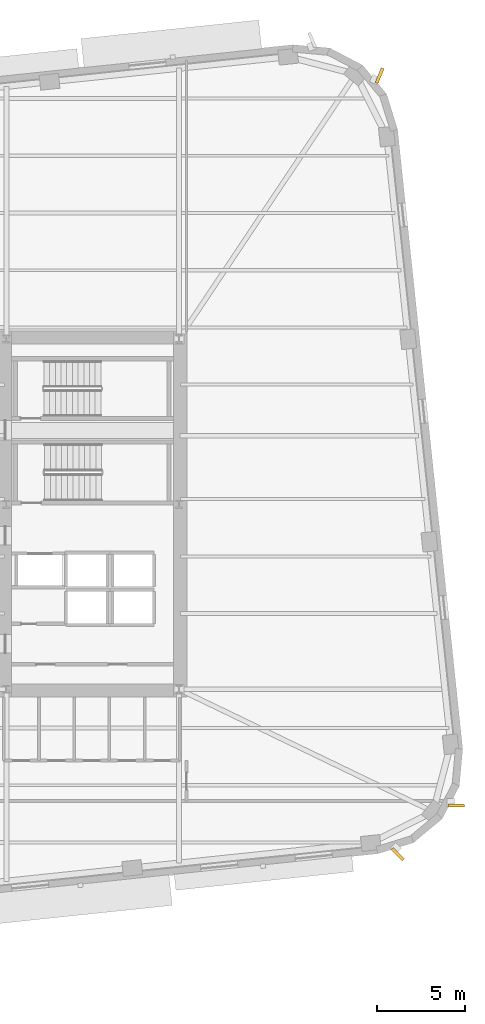
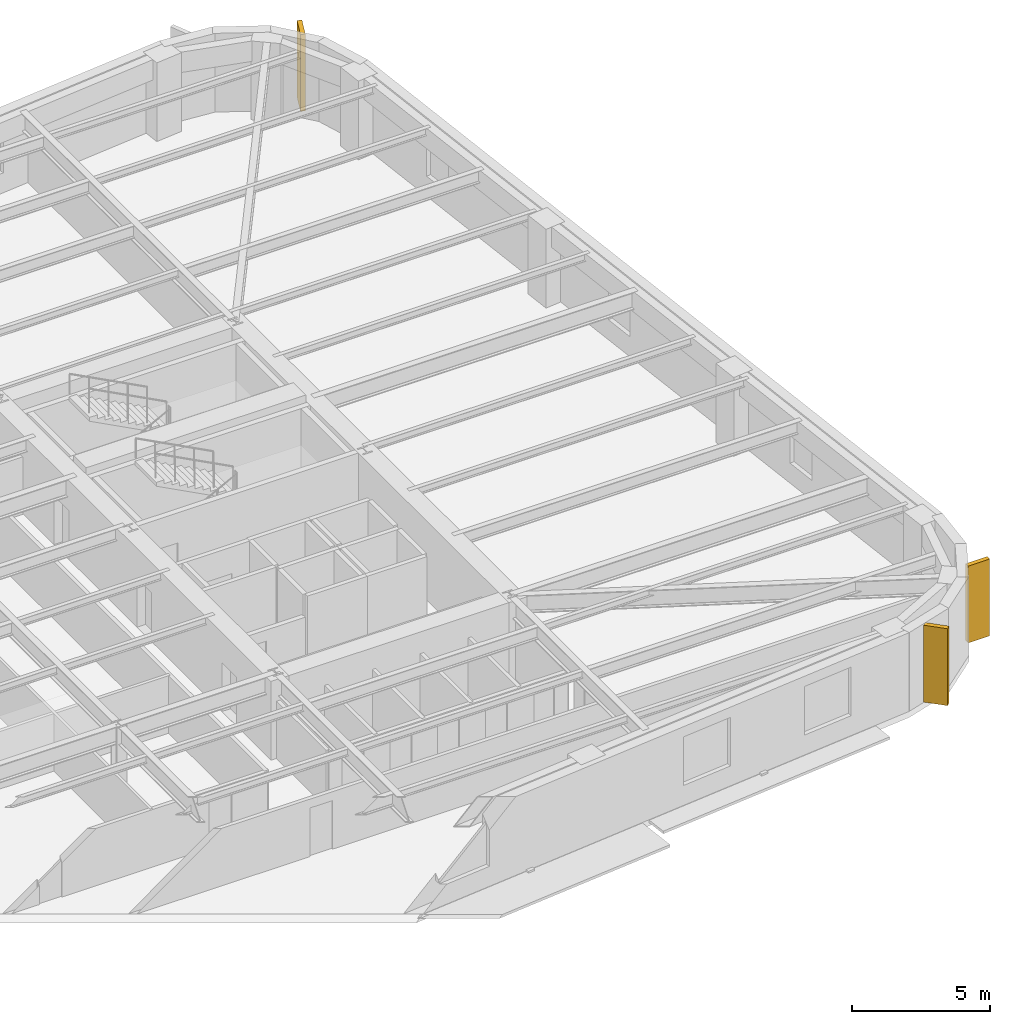
# One storey, part 15 of 15: 3 shading devices.
"""IFC4 building model written with IfcOpenShell, lengths in metres."""

from ifc_helpers import new_model, si_unit, direction, frame, origin, origin_2d, place, context, subcontext, project, spatial, rectangle, extrude, material, type_object, element, save


model = new_model("IFC4")

# Units and contexts
model_context = context("Model", 3, precision=1e-05, world=origin(), true_north=direction((0.0, 1.0)))
body_context = subcontext(model_context, "Body", "Model", "MODEL_VIEW")
ifc_project = project(units=[si_unit("LENGTHUNIT", "METRE"), si_unit("AREAUNIT", "SQUARE_METRE"), si_unit("VOLUMEUNIT", "CUBIC_METRE"), si_unit("PLANEANGLEUNIT", "RADIAN"), si_unit("MASSUNIT", "GRAM", prefix="KILO")], contexts=[model_context])

# Site, building, storey
site_placement = place(None, origin())
site = spatial("IfcSite", under=ifc_project, at=site_placement, CompositionType="ELEMENT")
building_placement = place(site_placement, origin())
building = spatial("IfcBuilding", under=site, at=building_placement, Name="Kolvaren Arena Tower", CompositionType="ELEMENT")
storey_placement = place(building_placement, frame((0.0, 0.0, 142.0)))
storey = spatial("IfcBuildingStorey", under=building, at=storey_placement, Name="L33", CompositionType="ELEMENT", Elevation=142.0)

# Shading devices
ifc_material = material(Name="Precast architectural concrete C50/60 rib fin", Category="concrete")
shading_device_type = type_object("IfcShadingDeviceType", Name="SHAD-FIN-28", PredefinedType="USERDEFINED", material=ifc_material)
for number, where, z_axis, x_axis, name in (
    (1, (72.7763671875, 10.080078125, 0.02001953125), (0.0, 0.0, 1.0), (0.710184146885, -0.704015963962, 0.0), "Precast 28-Deg Corner Rib Fin (L33)"),
    (2, (76.1044921875, 12.848388671875, 0.02001953125), (0.0, 0.0, 1.0), (0.999990541547, 0.004349346783, 0.0), "Precast 28-Deg Corner Rib Fin (L33)"),
    (3, (71.747314453125, 54.304931640625, 0.02001953125), (0.0, 0.0, 1.0), (0.378634078949, 0.925546451702, 0.0), "Precast 28-Deg Corner Rib Fin (L33)"),
):
    element("IfcShadingDevice", number, at=place(storey_placement, frame(where, z_axis=z_axis, x_axis=x_axis)), inside=storey, type_object=shading_device_type, Name=name, ObjectType="FIN", PredefinedType="USERDEFINED", context=body_context, shape_type="SweptSolid", body=[
        extrude(rectangle(XDim=0.89990234375, YDim=0.179931640625, at=origin_2d()), origin(), (0.0, 0.0, 1.0), 3.39990234375),
    ])

save(model, "model.ifc")
